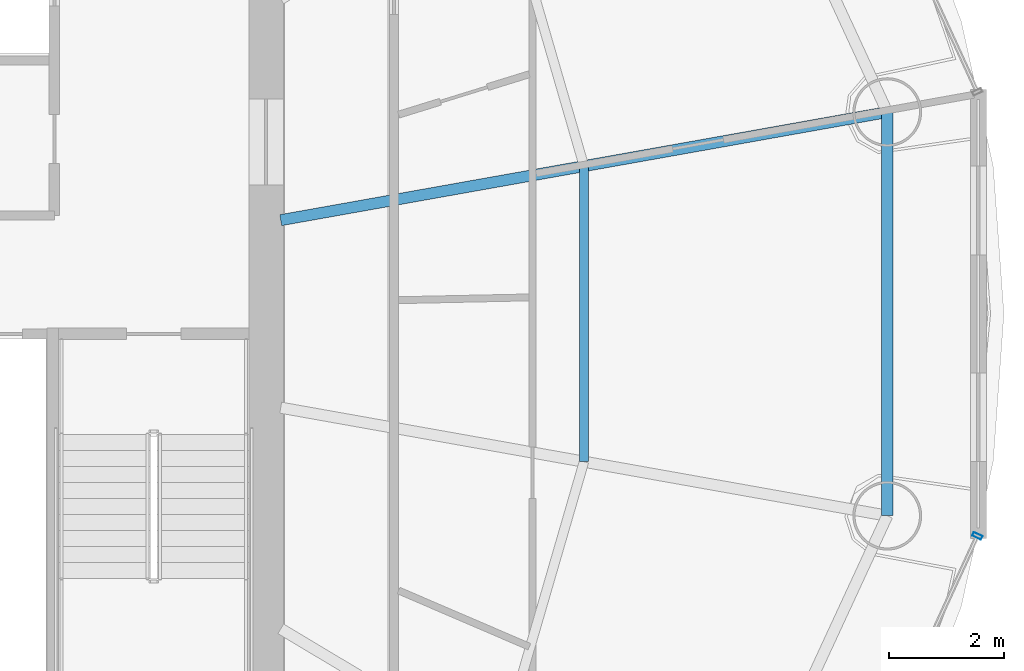
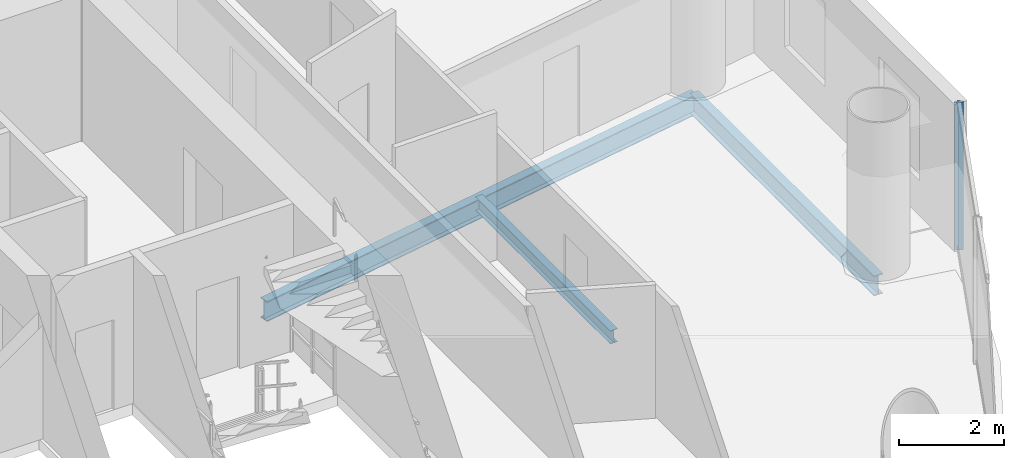
# One storey, part 12 of 26: 3 beams, 1 member, 1 element without a shape of its own.
"""IFC4 building model written with IfcOpenShell, lengths in metres."""

import ifcopenshell
import ifcopenshell.guid

model = None  # the IFC model being written
_history = None  # IfcOwnerHistory: only IFC2X3 demands one
_inside = {}  # id of a spatial element -> (the spatial element, [elements in it])
_under = {}  # id of a project, library or spatial element -> (it, [spatial elements below it])
_declared = {}  # id of a project -> (the project, [libraries it declares])
_typed = {}  # id of a type object -> (the type object, [elements of that type])
_made_of = {}  # id of a material, layer set ... -> (it, [elements and type objects made of it])


def new_model(schema):
    """Start an empty IFC model of exactly this schema.

    Asked for "IFC4X3", IfcOpenShell would pick the latest addendum, in which some entities
    have other attributes; the version numbers below select the first issue.
    IFC2X3 requires an IfcOwnerHistory on every rooted entity: one is made here for all.
    """
    global model, _history
    if schema == "IFC4X3":
        model = ifcopenshell.file(schema_version=(4, 3, 0, 0))
    else:
        model = ifcopenshell.file(schema=schema)
    _inside.clear()
    _under.clear()
    _declared.clear()
    _typed.clear()
    _made_of.clear()
    _history = None
    if model.schema == "IFC2X3":
        org = make("IfcOrganization", Name="unknown")
        user = make(
            "IfcPersonAndOrganization",
            ThePerson=make("IfcPerson", FamilyName="unknown"),
            TheOrganization=org,
        )
        app = make(
            "IfcApplication",
            ApplicationDeveloper=org,
            Version="unknown",
            ApplicationFullName="unknown",
            ApplicationIdentifier="unknown",
        )
        _history = make(
            "IfcOwnerHistory",
            OwningUser=user,
            OwningApplication=app,
            ChangeAction="ADDED",
            CreationDate=0,
        )
    return model


def make(cls, **values):
    """One entity of the class cls with the attributes given. An attribute that is None is left unset."""
    return model.create_entity(
        cls, **{name: value for name, value in values.items() if value is not None}
    )


def rooted(cls, **values):
    """An entity with a GlobalId (a new one), such as an element, a storey or a relation."""
    return make(cls, GlobalId=ifcopenshell.guid.new(), OwnerHistory=_history, **values)


def si_unit(unit_type, name, prefix=None):
    """IfcSIUnit, for example si_unit("LENGTHUNIT", "METRE", prefix="MILLI")."""
    return make("IfcSIUnit", UnitType=unit_type, Prefix=prefix, Name=name)


def assignment(units):
    """IfcUnitAssignment: the units of a project."""
    return None if units is None else make("IfcUnitAssignment", Units=units)


def point(xyz):
    """IfcCartesianPoint."""
    return None if xyz is None else make("IfcCartesianPoint", Coordinates=xyz)


def direction(xyz):
    """IfcDirection."""
    return None if xyz is None else make("IfcDirection", DirectionRatios=xyz)


def frame(location, z_axis=None, x_axis=None):
    """IfcAxis2Placement3D, a coordinate frame: its origin and axes. An axis left out is left unset."""
    return make(
        "IfcAxis2Placement3D",
        Location=point(location),
        Axis=direction(z_axis),
        RefDirection=direction(x_axis),
    )


def frame_2d(location, x_axis=None):
    """IfcAxis2Placement2D, a coordinate frame in the plane: its origin and x axis."""
    return make(
        "IfcAxis2Placement2D", Location=point(location), RefDirection=direction(x_axis)
    )


def origin():
    """The frame at (0, 0, 0) with its axes left unset."""
    return frame((0.0, 0.0, 0.0))


def origin_2d():
    """The frame at (0, 0) in the plane with its x axis left unset."""
    return frame_2d((0.0, 0.0))


def place(relative_to, where):
    """IfcLocalPlacement: puts the frame where relative to a parent placement (None: the world)."""
    return make(
        "IfcLocalPlacement", PlacementRelTo=relative_to, RelativePlacement=where
    )


def context(
    kind, dimensions, precision=None, world=None, true_north=None, identifier=None
):
    """IfcGeometricRepresentationContext, for example the 3D "Model" context."""
    return make(
        "IfcGeometricRepresentationContext",
        ContextIdentifier=identifier,
        ContextType=kind,
        CoordinateSpaceDimension=dimensions,
        Precision=precision,
        WorldCoordinateSystem=world,
        TrueNorth=true_north,
    )


def subcontext(parent, identifier, kind, view, scale=None):
    """IfcGeometricRepresentationSubContext, for example "Body" below "Model"."""
    return make(
        "IfcGeometricRepresentationSubContext",
        ContextIdentifier=identifier,
        ContextType=kind,
        ParentContext=parent,
        TargetScale=scale,
        TargetView=view,
    )


def project(units=None, contexts=None):
    """IfcProject with its units and contexts."""
    return rooted(
        "IfcProject",
        Name="project",
        RepresentationContexts=contexts,
        UnitsInContext=assignment(units),
    )


def spatial(cls, under=None, at=None, **own):
    """A site, building, storey or space (cls), placed at a placement, below another one or the project."""
    s = rooted(cls, ObjectPlacement=at, **own)
    if under is not None:
        _under.setdefault(under.id(), (under, []))[1].append(s)
    return s


def profile(cls, at=None, kind="AREA", **sizes):
    """A parametric profile (cls). Its sizes go by their IFC names, for example OverallWidth=200.0."""
    return make(cls, ProfileType=kind, Position=at, **sizes)


def hollow_rectangle(**sizes):
    """IfcRectangleHollowProfileDef."""
    return profile("IfcRectangleHollowProfileDef", **sizes)


def i_section(**sizes):
    """IfcIShapeProfileDef."""
    return profile("IfcIShapeProfileDef", **sizes)


def extrude(swept, where, along, depth):
    """IfcExtrudedAreaSolid: the profile swept, set in the frame where, extruded along a direction by depth."""
    return make(
        "IfcExtrudedAreaSolid",
        SweptArea=swept,
        Position=where,
        ExtrudedDirection=direction(along),
        Depth=depth,
    )


def shape(context_of_items, identifier, shape_type, items):
    """IfcShapeRepresentation: the items that make up one representation, for example the "Body"."""
    return make(
        "IfcShapeRepresentation",
        ContextOfItems=context_of_items,
        RepresentationIdentifier=identifier,
        RepresentationType=shape_type,
        Items=items,
    )


def source(mapping_origin, context_of_items, identifier, shape_type, items):
    """IfcRepresentationMap: a shape defined once, which mapped items show again and again."""
    return make(
        "IfcRepresentationMap",
        MappingOrigin=mapping_origin,
        MappedRepresentation=shape(context_of_items, identifier, shape_type, items),
    )


def transform(
    local_origin,
    x_axis=None,
    y_axis=None,
    z_axis=None,
    scale=None,
    scale2=None,
    scale3=None,
    uniform=True,
):
    """IfcCartesianTransformationOperator3D, or its non-uniform kind. x_axis, y_axis, z_axis: its Axis1, 2, 3."""
    if uniform:
        return make(
            "IfcCartesianTransformationOperator3D",
            Axis1=direction(x_axis),
            Axis2=direction(y_axis),
            LocalOrigin=point(local_origin),
            Scale=scale,
            Axis3=direction(z_axis),
        )
    return make(
        "IfcCartesianTransformationOperator3DnonUniform",
        Axis1=direction(x_axis),
        Axis2=direction(y_axis),
        LocalOrigin=point(local_origin),
        Scale=scale,
        Axis3=direction(z_axis),
        Scale2=scale2,
        Scale3=scale3,
    )


def mapped(mapping_source, mapping_target):
    """IfcMappedItem: shows the shape of a source again, moved by a transform."""
    return make(
        "IfcMappedItem", MappingSource=mapping_source, MappingTarget=mapping_target
    )


def material(Name=None, Category=None):
    """IfcMaterial."""
    return make("IfcMaterial", Name=Name, Category=Category)


def material_profile(
    of_material, cross_section, Name=None, Category=None, Priority=None
):
    """IfcMaterialProfile: a cross section and its material."""
    return make(
        "IfcMaterialProfile",
        Name=Name,
        Material=of_material,
        Profile=cross_section,
        Priority=Priority,
        Category=Category,
    )


def profile_set(profiles, Name=None, composite=None):
    """IfcMaterialProfileSet."""
    return make(
        "IfcMaterialProfileSet",
        Name=Name,
        MaterialProfiles=profiles,
        CompositeProfile=composite,
    )


def made_of(thing, what):
    """Note that an element or type object is made of a material, layer set ...; save() writes the relation."""
    if what is not None:
        _made_of.setdefault(what.id(), (what, []))[1].append(thing)
    return thing


def type_object(cls, material=None, **own):
    """A type object (cls), such as IfcWallType, which elements share."""
    return made_of(rooted(cls, **own), material)


def element(
    cls,
    number,
    at=None,
    inside=None,
    cuts=None,
    type_object=None,
    material=None,
    context=None,
    identifier="Body",
    shape_type=None,
    held_by="IfcProductDefinitionShape",
    body=None,
    shapes=None,
    **own,
):
    """One element of the class cls, such as IfcWall. Its Tag is "e" and its number.

    at: its placement. inside: the storey or other place that contains it. cuts: it is an
    opening in that element (IfcRelVoidsElement). A single representation is given by context,
    identifier, shape_type and body (its items); several are given by shapes. held_by: the class
    of the entity that holds the representations. save() writes the other relations.
    """
    e = rooted(cls, Tag="e%d" % number, ObjectPlacement=at, **own)
    if body is not None:
        shapes = [shape(context, identifier, shape_type, body)]
    if shapes is not None:
        e.Representation = make(held_by, Representations=shapes)
    if inside is not None:
        _inside.setdefault(inside.id(), (inside, []))[1].append(e)
    if cuts is not None:
        rooted(
            "IfcRelVoidsElement", RelatingBuildingElement=cuts, RelatedOpeningElement=e
        )
    if type_object is not None:
        _typed.setdefault(type_object.id(), (type_object, []))[1].append(e)
    return made_of(e, material)


def aggregate(whole, parts):
    """IfcRelAggregates: a whole, such as a stair, and the parts it consists of."""
    return rooted("IfcRelAggregates", RelatingObject=whole, RelatedObjects=parts)


def save(model, path):
    """Write the relations noted so far, then the file.

    IfcRelAggregates (storeys below a building ...), IfcRelContainedInSpatialStructure (elements
    in a storey), IfcRelDefinesByType, IfcRelAssociatesMaterial and IfcRelDeclares: one each for
    every whole, place, type object, material and project.
    """
    for whole, parts in _under.values():
        aggregate(whole, parts)
    for where, things in _inside.values():
        rooted(
            "IfcRelContainedInSpatialStructure",
            RelatedElements=things,
            RelatingStructure=where,
        )
    for kind, things in _typed.values():
        rooted("IfcRelDefinesByType", RelatedObjects=things, RelatingType=kind)
    for what, things in _made_of.values():
        rooted("IfcRelAssociatesMaterial", RelatedObjects=things, RelatingMaterial=what)
    for by, libraries in _declared.values():
        rooted("IfcRelDeclares", RelatingContext=by, RelatedDefinitions=libraries)
    model.write(path)


model = new_model("IFC4")

# Units and contexts
model_context = context("Model", 3, precision=1e-05, world=origin(), true_north=direction((-0.2419218956, 0.970295726276)))
body_context = subcontext(model_context, "Body", "Model", "MODEL_VIEW")
ifc_project = project(units=[si_unit("LENGTHUNIT", "METRE"), si_unit("AREAUNIT", "SQUARE_METRE"), si_unit("VOLUMEUNIT", "CUBIC_METRE"), si_unit("PLANEANGLEUNIT", "RADIAN"), si_unit("MASSUNIT", "GRAM", prefix="KILO")], contexts=[model_context])

# Site, building, storey
site_placement = place(None, origin())
site = spatial("IfcSite", under=ifc_project, at=site_placement, CompositionType="ELEMENT")
building_placement = place(site_placement, origin())
building = spatial("IfcBuilding", under=site, at=building_placement, Name="Cobrevalo Terracotta Tower", CompositionType="ELEMENT")
storey_placement = place(building_placement, frame((0.0, 0.0, 206.0)))
storey = spatial("IfcBuildingStorey", under=building, at=storey_placement, Name="L54", CompositionType="ELEMENT", Elevation=206.0)

# Beams
ifc_material_1 = material(Name="Steel S355", Category="steel")
ifc_material_profile_1 = material_profile(ifc_material_1, i_section(OverallWidth=0.194091796875, OverallDepth=0.468994140625, WebThickness=0.011474609375, FlangeThickness=0.0205078125, at=origin_2d()), Name="W 460x106")
ifc_profile_set_1 = profile_set([ifc_material_profile_1], Name="Steel S355")
beam_type_1 = type_object("IfcBeamType", Name="Structural Beam W 460x106 (Steel S355)", PredefinedType="BEAM", material=ifc_profile_set_1)
beam_1_placement = place(storey_placement, frame((57.762939453125, 30.3212890625, -0.49951171875), z_axis=(-0.98449712063, -0.175400739656, 0.0), x_axis=(0.175400739656, -0.98449712063, 0.0)))
element("IfcBeam", 1, at=beam_1_placement, inside=storey, type_object=beam_type_1, Name="L54 radial floor girder 01", PredefinedType="BEAM", context=body_context, shape_type="SweptSolid", body=[
    extrude(i_section(OverallWidth=0.194091796875, OverallDepth=0.468994140625, WebThickness=0.011474609375, FlangeThickness=0.0205078125, at=origin_2d()), origin(), (0.0, 0.0, 1.0), 10.749755859375),
])
ifc_material_profile_2 = material_profile(ifc_material_1, i_section(OverallWidth=0.1650390625, OverallDepth=0.31005859375, WebThickness=0.005859375, FlangeThickness=0.009765625, at=origin_2d()), Name="W 310x38.7")
ifc_profile_set_2 = profile_set([ifc_material_profile_2], Name="Steel S355")
beam_type_2 = type_object("IfcBeamType", Name="Structural Joist W 310x38.7 (Steel S355)", PredefinedType="JOIST", material=ifc_profile_set_2)
beam_2_placement = place(storey_placement, frame((52.471435546875, 24.221435546875, -0.419921875), z_axis=(0.0, 1.0, 0.0), x_axis=(-1.0, 0.0, 0.0)))
element("IfcBeam", 2, at=beam_2_placement, inside=storey, type_object=beam_type_2, Name="L54 circumferential secondary floor joist 16", PredefinedType="JOIST", context=body_context, shape_type="SweptSolid", body=[
    extrude(i_section(OverallWidth=0.1650390625, OverallDepth=0.31005859375, WebThickness=0.005859375, FlangeThickness=0.009765625, at=origin_2d()), origin(), (0.0, 0.0, 1.0), 5.1572265625),
])
ifc_material_profile_3 = material_profile(ifc_material_1, i_section(OverallWidth=0.194091796875, OverallDepth=0.468994140625, WebThickness=0.011474609375, FlangeThickness=0.0205078125, at=origin_2d()), Name="W 460x106")
ifc_profile_set_3 = profile_set([ifc_material_profile_3], Name="Steel S355")
beam_type_3 = type_object("IfcBeamType", Name="Structural Spandrel W 460x106 (Steel S355)", PredefinedType="SPANDREL", material=ifc_profile_set_3)
beam_3_placement = place(storey_placement, frame((57.762939453125, 23.278564453125, -0.49951171875), z_axis=(0.0, 1.0, 0.0), x_axis=(-1.0, 0.0, 0.0)))
element("IfcBeam", 3, at=beam_3_placement, inside=storey, type_object=beam_type_3, Name="L54 perimeter ring spandrel 16", PredefinedType="SPANDREL", context=body_context, shape_type="SweptSolid", body=[
    extrude(i_section(OverallWidth=0.194091796875, OverallDepth=0.468994140625, WebThickness=0.011474609375, FlangeThickness=0.0205078125, at=origin_2d()), origin(), (0.0, 0.0, 1.0), 7.042724609375),
])

# Curtain wall, member
ifc_material_2 = material(Name="Anodized aluminium", Category="aluminium")
curtain_wall_type = type_object("IfcCurtainWallType", Name="Mid-tower high-wind unitised curtain wall CW-U2", PredefinedType="NOTDEFINED", material=ifc_material_2)
curtain_wall_placement = place(storey_placement, origin())
curtain_wall = element("IfcCurtainWall", 4, at=curtain_wall_placement, inside=storey, type_object=curtain_wall_type, Name="L54 curtain wall CW-L54-S15", PredefinedType="NOTDEFINED")
ifc_material_profile_4 = material_profile(ifc_material_2, hollow_rectangle(XDim=0.070068359375, YDim=0.169921875, WallThickness=0.00439453125, at=origin_2d()), Name="CWM 70x170")
ifc_profile_set_4 = profile_set([ifc_material_profile_4], Name="Anodized aluminium")
member_type = type_object("IfcMemberType", Name="Upper tower unitised mullion 70x170", PredefinedType="MULLION", material=ifc_profile_set_4)
shared_shape = source(origin(), body_context, "Body", "SweptSolid", [
    extrude(hollow_rectangle(XDim=0.070068359375, YDim=0.169921875, WallThickness=0.00439453125, at=origin_2d()), origin(), (0.0, 0.0, 1.0), 3.43505859375),
])
member_placement = place(storey_placement, frame((59.3349609375, 22.92626953125, 0.0), z_axis=(0.0, 0.0, 1.0), x_axis=(0.41672507912, 0.909032567311, 0.0)))
member = element("IfcMember", 5, at=member_placement, type_object=member_type, Name="CW-L54-S15 vertical mullion 03", PredefinedType="MULLION", context=body_context, shape_type="MappedRepresentation", body=[
    mapped(shared_shape, transform((0.0, 0.0, 0.0), scale=1.0)),
])
aggregate(curtain_wall, [member])

save(model, "model.ifc")
